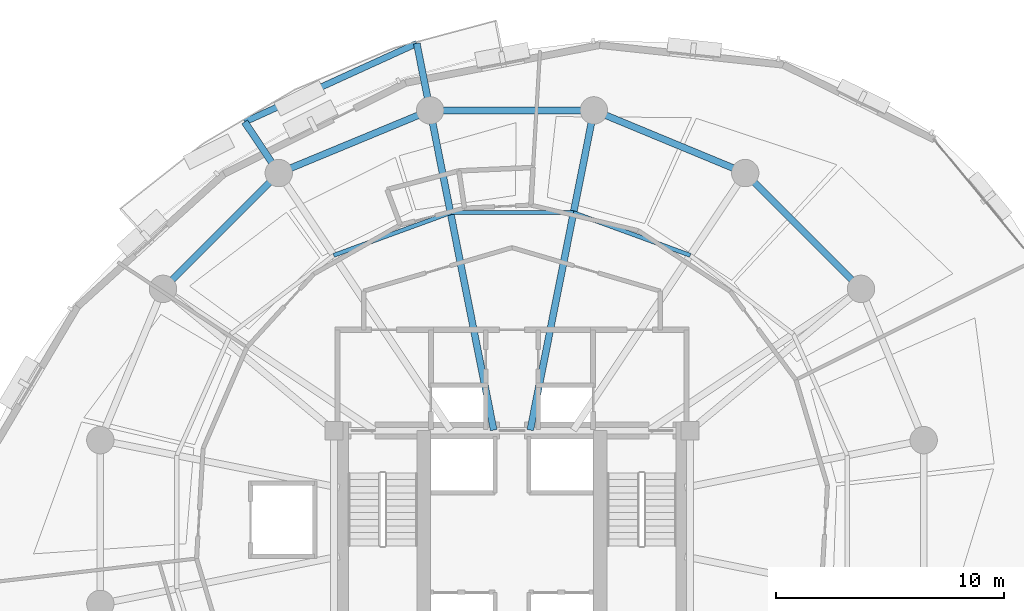
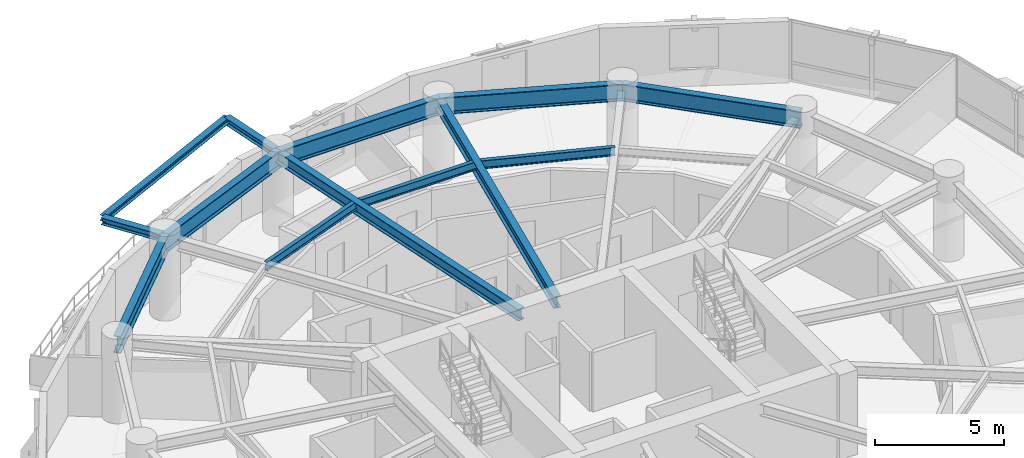
# One storey, part 7 of 14: 13 beams.
"""IFC4 building model written with IfcOpenShell, lengths in metres."""

from ifc_helpers import new_model, si_unit, direction, frame, origin, origin_2d, place, context, subcontext, project, spatial, i_section, extrude, material, material_profile, profile_set, type_object, element, save


model = new_model("IFC4")

# Units and contexts
model_context = context("Model", 3, precision=1e-05, world=origin(), true_north=direction((0.0, 1.0)))
body_context = subcontext(model_context, "Body", "Model", "MODEL_VIEW")
ifc_project = project(units=[si_unit("LENGTHUNIT", "METRE"), si_unit("AREAUNIT", "SQUARE_METRE"), si_unit("VOLUMEUNIT", "CUBIC_METRE"), si_unit("PLANEANGLEUNIT", "RADIAN"), si_unit("MASSUNIT", "GRAM", prefix="KILO"), si_unit("THERMODYNAMICTEMPERATUREUNIT", "KELVIN"), si_unit("POWERUNIT", "WATT")], contexts=[model_context])

# Site, building, storey
site_placement = place(None, origin())
site = spatial("IfcSite", under=ifc_project, at=site_placement, CompositionType="ELEMENT")
building_placement = place(site_placement, origin())
building = spatial("IfcBuilding", under=site, at=building_placement, Name="Ocrelia Relay Tower", CompositionType="ELEMENT")
storey_placement = place(building_placement, frame((0.0, 0.0, 145.800048828125)))
storey = spatial("IfcBuildingStorey", under=building, at=storey_placement, Name="L34", CompositionType="ELEMENT", Elevation=145.800048828125)

# Beams
ifc_material = material(Name="Steel S355", Category="steel")
ifc_material_profile_1 = material_profile(ifc_material, i_section(OverallWidth=0.280029296875, OverallDepth=0.27001953125, WebThickness=0.008056640625, FlangeThickness=0.012939453125, FilletRadius=0.02392578125, at=origin_2d()), Name="HEA 280")
ifc_profile_set_1 = profile_set([ifc_material_profile_1], Name="Steel S355")
beam_type_1 = type_object("IfcBeamType", Name="BM-HEA280", PredefinedType="BEAM", material=ifc_profile_set_1)
beam_1_placement = place(storey_placement, frame((29.826416015625, 46.982666015625, 3.5849609375), z_axis=(-0.909713143256, -0.415237277937, 0.0), x_axis=(0.415237277937, -0.909713143256, 0.0)))
element("IfcBeam", 1, at=beam_1_placement, inside=storey, type_object=beam_type_1, Name="L35 Balcony Edge Trimmer Beam B1", PredefinedType="BEAM", context=body_context, shape_type="SweptSolid", body=[
    extrude(i_section(OverallWidth=0.280029296875, OverallDepth=0.27001953125, WebThickness=0.008056640625, FlangeThickness=0.012939453125, FilletRadius=0.02392578125, at=origin_2d()), origin(), (0.0, 0.0, 1.0), 8.294189453125),
])
ifc_material_profile_2 = material_profile(ifc_material, i_section(OverallWidth=0.300048828125, OverallDepth=0.330078125, WebThickness=0.009521484375, FlangeThickness=0.0166015625, FilletRadius=0.027099609375, at=origin_2d()), Name="HEA 340")
ifc_profile_set_2 = profile_set([ifc_material_profile_2], Name="Steel S355")
beam_type_2 = type_object("IfcBeamType", Name="BM-HEA340", PredefinedType="BEAM", material=ifc_profile_set_2)
beam_2_placement = place(storey_placement, frame((30.410400390625, 44.04638671875, 3.554931640625), z_axis=(-0.195065294582, 0.980790258337, 0.0), x_axis=(-0.980790258337, -0.195065294582, 0.0)))
element("IfcBeam", 2, at=beam_2_placement, inside=storey, type_object=beam_type_2, Name="L35 Balcony Cantilever Beam B1-1", PredefinedType="BEAM", context=body_context, shape_type="SweptSolid", body=[
    extrude(i_section(OverallWidth=0.300048828125, OverallDepth=0.330078125, WebThickness=0.009521484375, FlangeThickness=0.0166015625, FilletRadius=0.027099609375, at=origin_2d()), origin(), (0.0, 0.0, 1.0), 2.993896484375),
])
beam_3_placement = place(storey_placement, frame((23.777587890625, 41.299072265625, 3.554931640625), z_axis=(-0.555620196533, 0.831436225579, 0.0), x_axis=(-0.831436225579, -0.555620196533, 0.0)))
element("IfcBeam", 3, at=beam_3_placement, inside=storey, type_object=beam_type_2, Name="L35 Balcony Cantilever Beam B1-2", PredefinedType="BEAM", context=body_context, shape_type="SweptSolid", body=[
    extrude(i_section(OverallWidth=0.300048828125, OverallDepth=0.330078125, WebThickness=0.009521484375, FlangeThickness=0.0166015625, FilletRadius=0.027099609375, at=origin_2d()), origin(), (0.0, 0.0, 1.0), 2.693603515625),
])
ifc_material_profile_3 = material_profile(ifc_material, i_section(OverallWidth=0.300048828125, OverallDepth=0.550048828125, WebThickness=0.014892578125, FlangeThickness=0.029052734375, FilletRadius=0.027099609375, at=origin_2d()), Name="HEB 550")
ifc_profile_set_3 = profile_set([ifc_material_profile_3], Name="Steel S355")
beam_type_3 = type_object("IfcBeamType", Name="BM-HEB550", PredefinedType="BEAM", material=ifc_profile_set_3)
for number, where, z_axis, x_axis, name in (
    (4, (37.589599609375, 44.04638671875, 3.445068359375), (-0.195094300142, -0.980784489096, 0.0), (0.980784489096, -0.195094300142, 0.0), "L34 Radial Floor Girder R04"),
    (5, (30.410400390625, 44.04638671875, 3.445068359375), (0.195094300142, -0.980784489096, 0.0), (0.980784489096, 0.195094300142, 0.0), "L34 Radial Floor Girder R05"),
):
    element("IfcBeam", number, at=place(storey_placement, frame(where, z_axis=z_axis, x_axis=x_axis)), inside=storey, type_object=beam_type_3, Name=name, PredefinedType="BEAM", context=body_context, shape_type="SweptSolid", body=[
        extrude(i_section(OverallWidth=0.300048828125, OverallDepth=0.550048828125, WebThickness=0.014892578125, FlangeThickness=0.029052734375, FilletRadius=0.027099609375, at=origin_2d()), origin(), (0.0, 0.0, 1.0), 14.291015625),
    ])
ifc_material_profile_4 = material_profile(ifc_material, i_section(OverallWidth=0.300048828125, OverallDepth=0.800048828125, WebThickness=0.017578125, FlangeThickness=0.032958984375, FilletRadius=0.030029296875, at=origin_2d()), Name="HEB 800")
ifc_profile_set_4 = profile_set([ifc_material_profile_4], Name="Steel S355")
beam_type_4 = type_object("IfcBeamType", Name="BM-HEB800", PredefinedType="BEAM", material=ifc_profile_set_4)
beam_4_placement = place(storey_placement, frame((49.299072265625, 36.222412109375, 3.320068359375), z_axis=(-0.707106781187, 0.707106781187, 0.0), x_axis=(-0.707106781187, -0.707106781187, 0.0)))
element("IfcBeam", 6, at=beam_4_placement, inside=storey, type_object=beam_type_4, Name="L34 Perimeter Spandrel Beam S02", PredefinedType="BEAM", context=body_context, shape_type="SweptSolid", body=[
    extrude(i_section(OverallWidth=0.300048828125, OverallDepth=0.800048828125, WebThickness=0.017578125, FlangeThickness=0.032958984375, FilletRadius=0.030029296875, at=origin_2d()), origin(), (0.0, 0.0, 1.0), 7.179443359375),
])
for number, where, z_axis, x_axis, name in (
    (7, (44.222412109375, 41.299072265625, 3.320068359375), (-0.923883789366, 0.382673155247, 0.0), (-0.382673155247, -0.923883789366, 0.0), "L34 Perimeter Spandrel Beam S03"),
    (8, (37.589599609375, 44.04638671875, 3.320068359375), (-1.0, 0.0, 0.0), (0.0, -1.0, 0.0), "L34 Perimeter Spandrel Beam S04"),
    (9, (30.410400390625, 44.04638671875, 3.320068359375), (-0.923883789366, -0.382673155247, 0.0), (0.382673155247, -0.923883789366, 0.0), "L34 Perimeter Spandrel Beam S05"),
):
    element("IfcBeam", number, at=place(storey_placement, frame(where, z_axis=z_axis, x_axis=x_axis)), inside=storey, type_object=beam_type_4, Name=name, PredefinedType="BEAM", context=body_context, shape_type="SweptSolid", body=[
        extrude(i_section(OverallWidth=0.300048828125, OverallDepth=0.800048828125, WebThickness=0.017578125, FlangeThickness=0.032958984375, FilletRadius=0.030029296875, at=origin_2d()), origin(), (0.0, 0.0, 1.0), 7.17919921875),
    ])
beam_5_placement = place(storey_placement, frame((23.777587890625, 41.299072265625, 3.320068359375), z_axis=(-0.707106781187, -0.707106781187, 0.0), x_axis=(0.707106781187, -0.707106781187, 0.0)))
element("IfcBeam", 10, at=beam_5_placement, inside=storey, type_object=beam_type_4, Name="L34 Perimeter Spandrel Beam S06", PredefinedType="BEAM", context=body_context, shape_type="SweptSolid", body=[
    extrude(i_section(OverallWidth=0.300048828125, OverallDepth=0.800048828125, WebThickness=0.017578125, FlangeThickness=0.032958984375, FilletRadius=0.030029296875, at=origin_2d()), origin(), (0.0, 0.0, 1.0), 7.179443359375),
])
ifc_material_profile_5 = material_profile(ifc_material, i_section(OverallWidth=0.179931640625, OverallDepth=0.39990234375, WebThickness=0.008544921875, FlangeThickness=0.013427734375, FilletRadius=0.02099609375, at=origin_2d()), Name="IPE 400")
ifc_profile_set_5 = profile_set([ifc_material_profile_5], Name="Steel S355")
beam_type_5 = type_object("IfcBeamType", Name="BM-IPE400", PredefinedType="JOIST", material=ifc_profile_set_5)
beam_6_placement = place(storey_placement, frame((41.81298828125, 37.69287109375, 3.52001953125), z_axis=(-0.93930687927, 0.34307810562, 0.0), x_axis=(-0.34307810562, -0.93930687927, 0.0)))
element("IfcBeam", 11, at=beam_6_placement, inside=storey, type_object=beam_type_5, Name="L34 Secondary Floor Joist J03", PredefinedType="JOIST", context=body_context, shape_type="SweptSolid", body=[
    extrude(i_section(OverallWidth=0.179931640625, OverallDepth=0.39990234375, WebThickness=0.008544921875, FlangeThickness=0.013427734375, FilletRadius=0.02099609375, at=origin_2d()), origin(), (0.0, 0.0, 1.0), 5.446044921875),
])
beam_7_placement = place(storey_placement, frame((36.697509765625, 39.561279296875, 3.52001953125), z_axis=(-1.0, 0.0, 0.0), x_axis=(0.0, -1.0, 0.0)))
element("IfcBeam", 12, at=beam_7_placement, inside=storey, type_object=beam_type_5, Name="L34 Secondary Floor Joist J04", PredefinedType="JOIST", context=body_context, shape_type="SweptSolid", body=[
    extrude(i_section(OverallWidth=0.179931640625, OverallDepth=0.39990234375, WebThickness=0.008544921875, FlangeThickness=0.013427734375, FilletRadius=0.02099609375, at=origin_2d()), origin(), (0.0, 0.0, 1.0), 5.39501953125),
])
beam_8_placement = place(storey_placement, frame((31.302490234375, 39.561279296875, 3.52001953125), z_axis=(-0.93930687927, -0.34307810562, 0.0), x_axis=(0.34307810562, -0.93930687927, 0.0)))
element("IfcBeam", 13, at=beam_8_placement, inside=storey, type_object=beam_type_5, Name="L34 Secondary Floor Joist J05", PredefinedType="JOIST", context=body_context, shape_type="SweptSolid", body=[
    extrude(i_section(OverallWidth=0.179931640625, OverallDepth=0.39990234375, WebThickness=0.008544921875, FlangeThickness=0.013427734375, FilletRadius=0.02099609375, at=origin_2d()), origin(), (0.0, 0.0, 1.0), 5.446044921875),
])

save(model, "model.ifc")
